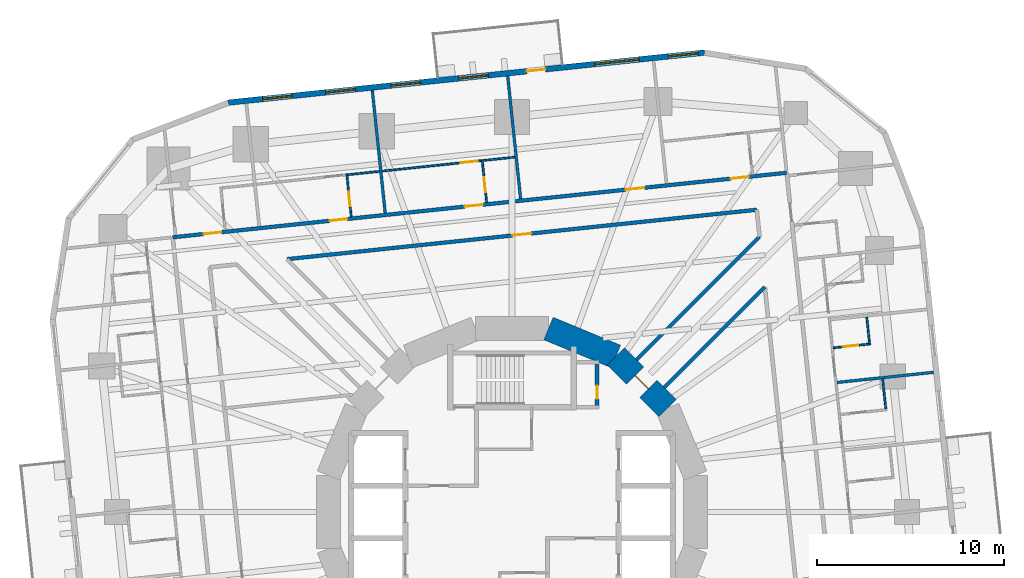
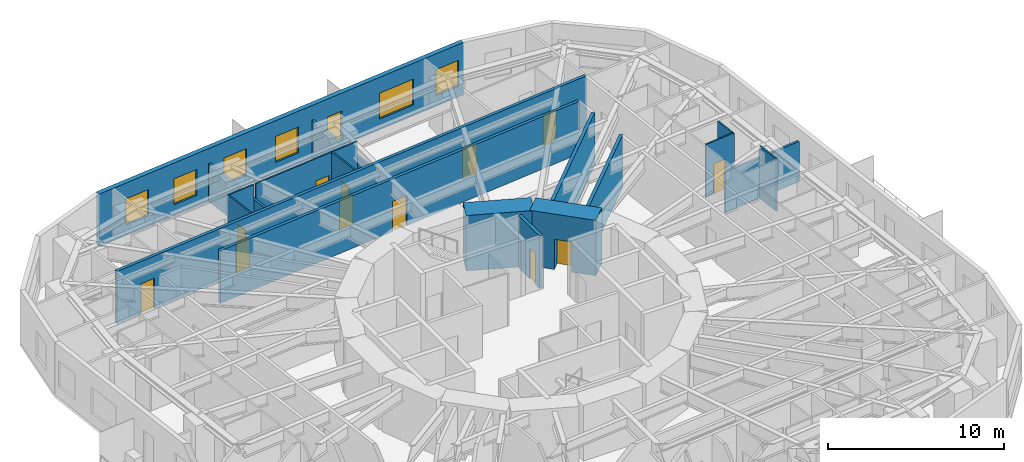
# One storey, part 10 of 13: 19 walls, 13 doors, 6 windows, 19 openings.
"""IFC4 building model written with IfcOpenShell, lengths in metres."""

from ifc_helpers import new_model, si_unit, direction, frame, frame_2d, origin, place, context, subcontext, project, spatial, rectangle, extrude, material, layer, layer_set, type_object, element, fill, save


model = new_model("IFC4")

# Units and contexts
model_context = context("Model", 3, precision=1e-05, world=origin(), true_north=direction((0.0, 1.0)))
body_context = subcontext(model_context, "Body", "Model", "MODEL_VIEW")
ifc_project = project(units=[si_unit("LENGTHUNIT", "METRE"), si_unit("AREAUNIT", "SQUARE_METRE"), si_unit("VOLUMEUNIT", "CUBIC_METRE"), si_unit("PLANEANGLEUNIT", "RADIAN"), si_unit("MASSUNIT", "GRAM", prefix="KILO")], contexts=[model_context])

# Site, building, storey
site_placement = place(None, origin())
site = spatial("IfcSite", under=ifc_project, at=site_placement, CompositionType="ELEMENT")
building_placement = place(site_placement, origin())
building = spatial("IfcBuilding", under=site, at=building_placement, Name="Nakasero Lantern House", CompositionType="ELEMENT")
storey_placement = place(building_placement, frame((0.0, 0.0, 91.300048828125)))
storey = spatial("IfcBuildingStorey", under=building, at=storey_placement, Name="L22", CompositionType="ELEMENT", Elevation=91.300048828125)

# Wall, opening, door
ifc_material_1 = material(Name="Concrete C50/60", Category="concrete")
ifc_layer_1 = layer(ifc_material_1, 1.300048828125)
ifc_layer_set_1 = layer_set([ifc_layer_1], Name="Core wall 1300")
wall_type_1 = type_object("IfcWallType", Name="Core wall 1300", PredefinedType="SHEAR", material=ifc_layer_set_1)
wall_1_placement = place(storey_placement, frame((8.314697265625, 5.5556640625, 0.0), z_axis=(0.0, 0.0, 1.0), x_axis=(-0.707106781187, 0.707106781187, 0.0)))
wall_1 = element("IfcWall", 1, at=wall_1_placement, inside=storey, type_object=wall_type_1, Name="Core wall L22 facet 2", PredefinedType="SHEAR", context=body_context, shape_type="SweptSolid", body=[
    extrude(rectangle(XDim=3.90185546875, YDim=1.300048828125, at=frame_2d((1.950927734375, 0.0))), origin(), (0.0, 0.0, 1.0), 3.849853515625),
])
opening_1_placement = place(wall_1_placement, frame((1.450927734375, 0.0, 0.0)))
opening_1 = element("IfcOpeningElement", 2, at=opening_1_placement, cuts=wall_1, Name="Opening D05", PredefinedType="OPENING", context=body_context, shape_type="SweptSolid", body=[
    extrude(rectangle(XDim=1.0, YDim=2.10009765625, at=frame_2d((0.5, 1.050048828125))), frame((0.0, 0.669921875, 0.0), z_axis=(0.0, -1.0, 0.0), x_axis=(1.0, 0.0, 0.0)), (0.0, 0.0, 1.0), 1.340087890625),
])
ifc_material_2 = material(Name="Timber C24", Category="wood")
door_type_1 = type_object("IfcDoorType", Name="Core door FD60S 1000", OperationType="SINGLE_SWING_LEFT", PredefinedType="DOOR", material=ifc_material_2)
door_1_placement = place(opening_1_placement, origin())
door_1 = element("IfcDoor", 3, at=door_1_placement, inside=storey, type_object=door_type_1, Name="Door L22 D-CORE02", OperationType="SINGLE_SWING_LEFT", OverallHeight=2.10009765625, OverallWidth=1.0, PredefinedType="DOOR", context=body_context, shape_type="SweptSolid", body=[
    extrude(rectangle(XDim=1.0, YDim=2.10009765625, at=frame_2d((0.5, 1.050048828125))), frame((0.0, 0.02490234375, 0.0), z_axis=(0.0, -1.0, 0.0), x_axis=(1.0, 0.0, 0.0)), (0.0, 0.0, 1.0), 0.050048828125),
])
fill(opening_1, door_1)

# Wall
wall_2_placement = place(storey_placement, frame((5.5556640625, 8.314697265625, 0.0), z_axis=(0.0, 0.0, 1.0), x_axis=(-0.923876507187, 0.382690736062, 0.0)))
element("IfcWall", 4, at=wall_2_placement, inside=storey, type_object=wall_type_1, Name="Core wall L22 facet 3", PredefinedType="SHEAR", context=body_context, shape_type="SweptSolid", body=[
    extrude(rectangle(XDim=3.90185546875, YDim=1.300048828125, at=frame_2d((1.950927734375, 0.0))), origin(), (0.0, 0.0, 1.0), 3.849853515625),
])

# Wall, openings, doors
ifc_material_3 = material(Name="Blockwork", Category="masonry")
ifc_layer_2 = layer(ifc_material_3, 0.199951171875)
ifc_layer_set_2 = layer_set([ifc_layer_2], Name="Corridor wall 200")
wall_type_2 = type_object("IfcWallType", Name="Corridor wall 200", PredefinedType="PARTITIONING", material=ifc_layer_set_2)
wall_3_placement = place(storey_placement, frame((14.684814453125, 18.13427734375, 0.0), z_axis=(0.0, 0.0, 1.0), x_axis=(-0.994521777723, -0.10452958258, 0.0)))
wall_3 = element("IfcWall", 5, at=wall_3_placement, inside=storey, type_object=wall_type_2, Name="Corridor wall L22 CW1", PredefinedType="PARTITIONING", context=body_context, shape_type="SweptSolid", body=[
    extrude(rectangle(XDim=32.999755859375, YDim=0.199951171875, at=frame_2d((16.5, 0.0))), origin(), (0.0, 0.0, 1.0), 3.64990234375),
])
opening_2_placement = place(wall_3_placement, frame((2.050048828125, 0.0, 0.0)))
opening_2 = element("IfcOpeningElement", 6, at=opening_2_placement, cuts=wall_3, Name="Opening D01", PredefinedType="OPENING", context=body_context, shape_type="SweptSolid", body=[
    extrude(rectangle(XDim=0.949951171875, YDim=2.10009765625, at=frame_2d((0.47509765625, 1.050048828125))), frame((0.0, 0.119873046875, 0.0), z_axis=(0.0, -1.0, 0.0), x_axis=(1.0, 0.0, 0.0)), (0.0, 0.0, 1.0), 0.239990234375),
])
opening_3_placement = place(wall_3_placement, frame((16.3427734375, 0.0, 0.0)))
opening_3 = element("IfcOpeningElement", 7, at=opening_3_placement, cuts=wall_3, Name="Opening D01", PredefinedType="OPENING", context=body_context, shape_type="SweptSolid", body=[
    extrude(rectangle(XDim=0.949951171875, YDim=2.10009765625, at=frame_2d((0.47509765625, 1.050048828125))), frame((0.0, 0.119873046875, 0.0), z_axis=(0.0, -1.0, 0.0), x_axis=(1.0, 0.0, 0.0)), (0.0, 0.0, 1.0), 0.239990234375),
])
opening_4_placement = place(wall_3_placement, frame((23.6201171875, 0.0, 0.0)))
opening_4 = element("IfcOpeningElement", 8, at=opening_4_placement, cuts=wall_3, Name="Opening D01", PredefinedType="OPENING", context=body_context, shape_type="SweptSolid", body=[
    extrude(rectangle(XDim=0.949951171875, YDim=2.10009765625, at=frame_2d((0.47509765625, 1.050048828125))), frame((0.0, 0.119873046875, 0.0), z_axis=(0.0, -1.0, 0.0), x_axis=(1.0, 0.0, 0.0)), (0.0, 0.0, 1.0), 0.239990234375),
])
opening_5_placement = place(wall_3_placement, frame((30.39111328125, 0.0, 0.0)))
opening_5 = element("IfcOpeningElement", 9, at=opening_5_placement, cuts=wall_3, Name="Opening D01", PredefinedType="OPENING", context=body_context, shape_type="SweptSolid", body=[
    extrude(rectangle(XDim=0.949951171875, YDim=2.10009765625, at=frame_2d((0.47509765625, 1.050048828125))), frame((0.0, 0.119873046875, 0.0), z_axis=(0.0, -1.0, 0.0), x_axis=(1.0, 0.0, 0.0)), (0.0, 0.0, 1.0), 0.239990234375),
])
opening_6_placement = place(wall_3_placement, frame((7.650634765625, 0.0, 0.0)))
opening_6 = element("IfcOpeningElement", 10, at=opening_6_placement, cuts=wall_3, Name="Opening D03", PredefinedType="OPENING", context=body_context, shape_type="SweptSolid", body=[
    extrude(rectangle(XDim=1.0, YDim=2.10009765625, at=frame_2d((0.5, 1.050048828125))), frame((0.0, 0.119873046875, 0.0), z_axis=(0.0, -1.0, 0.0), x_axis=(1.0, 0.0, 0.0)), (0.0, 0.0, 1.0), 0.239990234375),
])
ifc_material_4 = material(Name="Timber C24", Category="wood")
door_type_2 = type_object("IfcDoorType", Name="Bedroom door FD30S 950", OperationType="SINGLE_SWING_LEFT", PredefinedType="DOOR", material=ifc_material_4)
door_2_placement = place(opening_2_placement, origin())
door_2 = element("IfcDoor", 11, at=door_2_placement, inside=storey, type_object=door_type_2, Name="Door L22 D1-00", OperationType="SINGLE_SWING_LEFT", OverallHeight=2.10009765625, OverallWidth=0.949951171875, PredefinedType="DOOR", context=body_context, shape_type="SweptSolid", body=[
    extrude(rectangle(XDim=0.949951171875, YDim=2.10009765625, at=frame_2d((0.47509765625, 1.050048828125))), frame((0.0, 0.02490234375, 0.0), z_axis=(0.0, -1.0, 0.0), x_axis=(1.0, 0.0, 0.0)), (0.0, 0.0, 1.0), 0.050048828125),
])
fill(opening_2, door_2)
door_3_placement = place(opening_3_placement, origin())
door_3 = element("IfcDoor", 12, at=door_3_placement, inside=storey, type_object=door_type_2, Name="Door L22 D1-04", OperationType="SINGLE_SWING_RIGHT", OverallHeight=2.10009765625, OverallWidth=0.949951171875, PredefinedType="DOOR", context=body_context, shape_type="SweptSolid", body=[
    extrude(rectangle(XDim=0.949951171875, YDim=2.10009765625, at=frame_2d((0.47509765625, 1.050048828125))), frame((0.0, 0.02490234375, 0.0), z_axis=(0.0, -1.0, 0.0), x_axis=(1.0, 0.0, 0.0)), (0.0, 0.0, 1.0), 0.050048828125),
])
fill(opening_3, door_3)
door_4_placement = place(opening_4_placement, origin())
door_4 = element("IfcDoor", 13, at=door_4_placement, inside=storey, type_object=door_type_2, Name="Door L22 D1-06", OperationType="SINGLE_SWING_RIGHT", OverallHeight=2.10009765625, OverallWidth=0.949951171875, PredefinedType="DOOR", context=body_context, shape_type="SweptSolid", body=[
    extrude(rectangle(XDim=0.949951171875, YDim=2.10009765625, at=frame_2d((0.47509765625, 1.050048828125))), frame((0.0, 0.02490234375, 0.0), z_axis=(0.0, -1.0, 0.0), x_axis=(1.0, 0.0, 0.0)), (0.0, 0.0, 1.0), 0.050048828125),
])
fill(opening_4, door_4)
door_5_placement = place(opening_5_placement, origin())
door_5 = element("IfcDoor", 14, at=door_5_placement, inside=storey, type_object=door_type_2, Name="Door L22 D1-08", OperationType="SINGLE_SWING_RIGHT", OverallHeight=2.10009765625, OverallWidth=0.949951171875, PredefinedType="DOOR", context=body_context, shape_type="SweptSolid", body=[
    extrude(rectangle(XDim=0.949951171875, YDim=2.10009765625, at=frame_2d((0.47509765625, 1.050048828125))), frame((0.0, 0.02490234375, 0.0), z_axis=(0.0, -1.0, 0.0), x_axis=(1.0, 0.0, 0.0)), (0.0, 0.0, 1.0), 0.050048828125),
])
fill(opening_5, door_5)
ifc_material_5 = material(Name="Timber C24", Category="wood")
door_type_3 = type_object("IfcDoorType", Name="Lounge door FD30S 1000", OperationType="SINGLE_SWING_LEFT", PredefinedType="DOOR", material=ifc_material_5)
door_6_placement = place(opening_6_placement, origin())
door_6 = element("IfcDoor", 15, at=door_6_placement, inside=storey, type_object=door_type_3, Name="Door L22 DK1", OperationType="SINGLE_SWING_LEFT", OverallHeight=2.10009765625, OverallWidth=1.0, PredefinedType="DOOR", context=body_context, shape_type="SweptSolid", body=[
    extrude(rectangle(XDim=1.0, YDim=2.10009765625, at=frame_2d((0.5, 1.050048828125))), frame((0.0, 0.02490234375, 0.0), z_axis=(0.0, -1.0, 0.0), x_axis=(1.0, 0.0, 0.0)), (0.0, 0.0, 1.0), 0.050048828125),
])
fill(opening_6, door_6)

# Wall, opening, door
wall_4_placement = place(storey_placement, frame((13.0830078125, 16.156005859375, 0.0), z_axis=(0.0, 0.0, 1.0), x_axis=(-0.994521862783, -0.104528773298, 0.0)))
wall_4 = element("IfcWall", 16, at=wall_4_placement, inside=storey, type_object=wall_type_2, Name="Corridor wall L22 IW1-0", PredefinedType="PARTITIONING", context=body_context, shape_type="SweptSolid", body=[
    extrude(rectangle(XDim=25.2529296875, YDim=0.199951171875, at=frame_2d((12.62646484375, 0.0))), origin(), (0.0, 0.0, 1.0), 3.64990234375),
])
opening_7_placement = place(wall_4_placement, frame((12.12646484375, 0.0, 0.0)))
opening_7 = element("IfcOpeningElement", 17, at=opening_7_placement, cuts=wall_4, Name="Opening D07", PredefinedType="OPENING", context=body_context, shape_type="SweptSolid", body=[
    extrude(rectangle(XDim=1.0, YDim=2.10009765625, at=frame_2d((0.5, 1.050048828125))), frame((0.0, 0.119873046875, 0.0), z_axis=(0.0, -1.0, 0.0), x_axis=(1.0, 0.0, 0.0)), (0.0, 0.0, 1.0), 0.239990234375),
])
ifc_material_6 = material(Name="Timber C24", Category="wood")
door_type_4 = type_object("IfcDoorType", Name="Room door FD30S 1000", OperationType="SINGLE_SWING_LEFT", PredefinedType="DOOR", material=ifc_material_6)
door_7_placement = place(opening_7_placement, origin())
door_7 = element("IfcDoor", 18, at=door_7_placement, inside=storey, type_object=door_type_4, Name="Door L22 DI3", OperationType="SINGLE_SWING_RIGHT", OverallHeight=2.10009765625, OverallWidth=1.0, PredefinedType="DOOR", context=body_context, shape_type="SweptSolid", body=[
    extrude(rectangle(XDim=1.0, YDim=2.10009765625, at=frame_2d((0.5, 1.050048828125))), frame((0.0, 0.02490234375, 0.0), z_axis=(0.0, -1.0, 0.0), x_axis=(1.0, 0.0, 0.0)), (0.0, 0.0, 1.0), 0.050048828125),
])
fill(opening_7, door_7)

# Walls
wall_5_placement = place(storey_placement, frame((6.65234375, 8.13720703125, 0.0), z_axis=(0.0, 0.0, 1.0), x_axis=(0.707093666337, 0.707119895793, 0.0)))
element("IfcWall", 19, at=wall_5_placement, inside=storey, type_object=wall_type_2, Name="Corridor wall L22 PS02a", PredefinedType="PARTITIONING", context=body_context, shape_type="SweptSolid", body=[
    extrude(rectangle(XDim=9.307861328125, YDim=0.199951171875, at=frame_2d((4.65380859375, 0.0))), origin(), (0.0, 0.0, 1.0), 3.64990234375),
])
wall_6_placement = place(storey_placement, frame((8.13720703125, 6.65234375, 0.0), z_axis=(0.0, 0.0, 1.0), x_axis=(0.707106781187, 0.707106781187, 0.0)))
element("IfcWall", 20, at=wall_6_placement, inside=storey, type_object=wall_type_2, Name="Corridor wall L22 PS02b", PredefinedType="PARTITIONING", context=body_context, shape_type="SweptSolid", body=[
    extrude(rectangle(XDim=7.607177734375, YDim=0.199951171875, at=frame_2d((3.8037109375, 0.0))), origin(), (0.0, 0.0, 1.0), 3.64990234375),
])
ifc_material_7 = material(Name="Blockwork", Category="masonry")
ifc_layer_3 = layer(ifc_material_7, 0.10009765625)
ifc_layer_set_3 = layer_set([ifc_layer_3], Name="En-suite wall 100")
wall_type_3 = type_object("IfcWallType", Name="En-suite wall 100", PredefinedType="PARTITIONING", material=ifc_layer_set_3)
wall_7_placement = place(storey_placement, frame((19.983154296875, 5.513916015625, 0.0), z_axis=(0.0, 0.0, 1.0), x_axis=(-0.104517989015, 0.994522996201, 0.0)))
element("IfcWall", 21, at=wall_7_placement, inside=storey, type_object=wall_type_3, Name="En-suite wall L22 EE0-05", PredefinedType="PARTITIONING", context=body_context, shape_type="SweptSolid", body=[
    extrude(rectangle(XDim=1.60009765625, YDim=0.10009765625, at=frame_2d((0.800048828125, 0.0))), origin(), (0.0, 0.0, 1.0), 3.64990234375),
])

# Wall, opening, door
wall_8_placement = place(storey_placement, frame((17.177001953125, 8.774169921875, 0.0), z_axis=(0.0, 0.0, 1.0), x_axis=(0.99452550138, 0.104494148666, 0.0)))
wall_8 = element("IfcWall", 22, at=wall_8_placement, inside=storey, type_object=wall_type_3, Name="En-suite wall L22 ES0-06", PredefinedType="PARTITIONING", context=body_context, shape_type="SweptSolid", body=[
    extrude(rectangle(XDim=2.0, YDim=0.10009765625, at=frame_2d((1.0, 0.0))), origin(), (0.0, 0.0, 1.0), 3.64990234375),
])
opening_8_placement = place(wall_8_placement, frame((0.550048828125, 0.0, 0.0)))
opening_8 = element("IfcOpeningElement", 23, at=opening_8_placement, cuts=wall_8, Name="Opening D02", PredefinedType="OPENING", context=body_context, shape_type="SweptSolid", body=[
    extrude(rectangle(XDim=0.800048828125, YDim=2.10009765625, at=frame_2d((0.39990234375, 1.050048828125))), frame((0.0, 0.070068359375, 0.0), z_axis=(0.0, -1.0, 0.0), x_axis=(1.0, 0.0, 0.0)), (0.0, 0.0, 1.0), 0.14013671875),
])
ifc_material_8 = material(Name="Timber C24", Category="wood")
door_type_5 = type_object("IfcDoorType", Name="En-suite door 800", OperationType="SINGLE_SWING_RIGHT", PredefinedType="DOOR", material=ifc_material_8)
door_8_placement = place(opening_8_placement, origin())
door_8 = element("IfcDoor", 24, at=door_8_placement, inside=storey, type_object=door_type_5, Name="Door L22 DE0-06", OperationType="SINGLE_SWING_LEFT", OverallHeight=2.10009765625, OverallWidth=0.800048828125, PredefinedType="DOOR", context=body_context, shape_type="SweptSolid", body=[
    extrude(rectangle(XDim=0.800048828125, YDim=2.10009765625, at=frame_2d((0.39990234375, 1.050048828125))), frame((0.0, 0.02490234375, 0.0), z_axis=(0.0, -1.0, 0.0), x_axis=(1.0, 0.0, 0.0)), (0.0, 0.0, 1.0), 0.050048828125),
])
fill(opening_8, door_8)

# Wall
wall_9_placement = place(storey_placement, frame((19.111083984375, 9.027587890625, 0.0), z_axis=(0.0, 0.0, 1.0), x_axis=(-0.104630319263, 0.994511184598, 0.0)))
element("IfcWall", 25, at=wall_9_placement, inside=storey, type_object=wall_type_3, Name="En-suite wall L22 EE0-06", PredefinedType="PARTITIONING", context=body_context, shape_type="SweptSolid", body=[
    extrude(rectangle(XDim=1.39990234375, YDim=0.10009765625, at=frame_2d((0.699951171875, 0.0))), origin(), (0.0, 0.0, 1.0), 3.64990234375),
])

# Wall, opening, door
wall_10_placement = place(storey_placement, frame((-1.35498046875, 16.549072265625, 0.0), z_axis=(0.0, 0.0, 1.0), x_axis=(-0.104557694553, 0.994518822602, 0.0)))
wall_10 = element("IfcWall", 26, at=wall_10_placement, inside=storey, type_object=wall_type_3, Name="En-suite wall L22 ES1-04", PredefinedType="PARTITIONING", context=body_context, shape_type="SweptSolid", body=[
    extrude(rectangle(XDim=2.300048828125, YDim=0.10009765625, at=frame_2d((1.14990234375, 0.0))), origin(), (0.0, 0.0, 1.0), 3.64990234375),
])
opening_9_placement = place(wall_10_placement, frame((0.550048828125, 0.0, 0.0)))
opening_9 = element("IfcOpeningElement", 27, at=opening_9_placement, cuts=wall_10, Name="Opening D02", PredefinedType="OPENING", context=body_context, shape_type="SweptSolid", body=[
    extrude(rectangle(XDim=0.800048828125, YDim=2.10009765625, at=frame_2d((0.39990234375, 1.050048828125))), frame((0.0, 0.070068359375, 0.0), z_axis=(0.0, -1.0, 0.0), x_axis=(1.0, 0.0, 0.0)), (0.0, 0.0, 1.0), 0.14013671875),
])
door_9_placement = place(opening_9_placement, origin())
door_9 = element("IfcDoor", 28, at=door_9_placement, inside=storey, type_object=door_type_5, Name="Door L22 DE1-04", OperationType="SINGLE_SWING_LEFT", OverallHeight=2.10009765625, OverallWidth=0.800048828125, PredefinedType="DOOR", context=body_context, shape_type="SweptSolid", body=[
    extrude(rectangle(XDim=0.800048828125, YDim=2.10009765625, at=frame_2d((0.39990234375, 1.050048828125))), frame((0.0, 0.02490234375, 0.0), z_axis=(0.0, -1.0, 0.0), x_axis=(1.0, 0.0, 0.0)), (0.0, 0.0, 1.0), 0.050048828125),
])
fill(opening_9, door_9)

# Wall
wall_11_placement = place(storey_placement, frame((0.150146484375, 18.9697265625, 0.0), z_axis=(0.0, 0.0, 1.0), x_axis=(-0.994519608382, -0.104550220202, 0.0)))
element("IfcWall", 29, at=wall_11_placement, inside=storey, type_object=wall_type_3, Name="En-suite wall L22 EE1-04", PredefinedType="PARTITIONING", context=body_context, shape_type="SweptSolid", body=[
    extrude(rectangle(XDim=1.699951171875, YDim=0.10009765625, at=frame_2d((0.85009765625, 0.0))), origin(), (0.0, 0.0, 1.0), 3.64990234375),
])

# Wall, opening, door
wall_12_placement = place(storey_placement, frame((-8.592529296875, 15.788330078125, 0.0), z_axis=(0.0, 0.0, 1.0), x_axis=(-0.104452703326, 0.994529855142, 0.0)))
wall_12 = element("IfcWall", 30, at=wall_12_placement, inside=storey, type_object=wall_type_3, Name="En-suite wall L22 ES1-06", PredefinedType="PARTITIONING", context=body_context, shape_type="SweptSolid", body=[
    extrude(rectangle(XDim=2.300048828125, YDim=0.10009765625, at=frame_2d((1.14990234375, 0.0))), origin(), (0.0, 0.0, 1.0), 3.64990234375),
])
opening_10_placement = place(wall_12_placement, frame((0.550048828125, 0.0, 0.0)))
opening_10 = element("IfcOpeningElement", 31, at=opening_10_placement, cuts=wall_12, Name="Opening D02", PredefinedType="OPENING", context=body_context, shape_type="SweptSolid", body=[
    extrude(rectangle(XDim=0.800048828125, YDim=2.10009765625, at=frame_2d((0.39990234375, 1.050048828125))), frame((0.0, 0.070068359375, 0.0), z_axis=(0.0, -1.0, 0.0), x_axis=(1.0, 0.0, 0.0)), (0.0, 0.0, 1.0), 0.14013671875),
])
door_10_placement = place(opening_10_placement, origin())
door_10 = element("IfcDoor", 32, at=door_10_placement, inside=storey, type_object=door_type_5, Name="Door L22 DE1-06", OperationType="SINGLE_SWING_LEFT", OverallHeight=2.10009765625, OverallWidth=0.800048828125, PredefinedType="DOOR", context=body_context, shape_type="SweptSolid", body=[
    extrude(rectangle(XDim=0.800048828125, YDim=2.10009765625, at=frame_2d((0.39990234375, 1.050048828125))), frame((0.0, 0.02490234375, 0.0), z_axis=(0.0, -1.0, 0.0), x_axis=(1.0, 0.0, 0.0)), (0.0, 0.0, 1.0), 0.050048828125),
])
fill(opening_10, door_10)

# Wall
wall_13_placement = place(storey_placement, frame((-7.087158203125, 18.208984375, 0.0), z_axis=(0.0, 0.0, 1.0), x_axis=(-0.994519608382, -0.104550220202, 0.0)))
element("IfcWall", 33, at=wall_13_placement, inside=storey, type_object=wall_type_3, Name="En-suite wall L22 EE1-06", PredefinedType="PARTITIONING", context=body_context, shape_type="SweptSolid", body=[
    extrude(rectangle(XDim=1.699951171875, YDim=0.10009765625, at=frame_2d((0.85009765625, 0.0))), origin(), (0.0, 0.0, 1.0), 3.64990234375),
])

# Wall, opening, door
wall_14_placement = place(storey_placement, frame((-1.639892578125, 18.781494140625, 0.0), z_axis=(0.0, 0.0, 1.0), x_axis=(-0.994521261767, -0.10453449141, 0.0)))
wall_14 = element("IfcWall", 34, at=wall_14_placement, inside=storey, type_object=wall_type_3, Name="En-suite wall L22 EL1-04", PredefinedType="PARTITIONING", context=body_context, shape_type="SweptSolid", body=[
    extrude(rectangle(XDim=5.327392578125, YDim=0.10009765625, at=frame_2d((2.66357421875, 0.0))), origin(), (0.0, 0.0, 1.0), 3.64990234375),
])
opening_11_placement = place(wall_14_placement, frame((0.199951171875, 0.0, 0.0)))
opening_11 = element("IfcOpeningElement", 35, at=opening_11_placement, cuts=wall_14, Name="Opening D17", PredefinedType="OPENING", context=body_context, shape_type="SweptSolid", body=[
    extrude(rectangle(XDim=0.89990234375, YDim=2.10009765625, at=frame_2d((0.449951171875, 1.050048828125))), frame((0.0, 0.070068359375, 0.0), z_axis=(0.0, -1.0, 0.0), x_axis=(1.0, 0.0, 0.0)), (0.0, 0.0, 1.0), 0.14013671875),
])
ifc_material_9 = material(Name="Timber C24", Category="wood")
door_type_6 = type_object("IfcDoorType", Name="Bedroom door FD30S 900", OperationType="SINGLE_SWING_LEFT", PredefinedType="DOOR", material=ifc_material_9)
door_11_placement = place(opening_11_placement, origin())
door_11 = element("IfcDoor", 36, at=door_11_placement, inside=storey, type_object=door_type_6, Name="Door L22 DL1-04", OperationType="SINGLE_SWING_LEFT", OverallHeight=2.10009765625, OverallWidth=0.89990234375, PredefinedType="DOOR", context=body_context, shape_type="SweptSolid", body=[
    extrude(rectangle(XDim=0.89990234375, YDim=2.10009765625, at=frame_2d((0.449951171875, 1.050048828125))), frame((0.0, 0.02490234375, 0.0), z_axis=(0.0, -1.0, 0.0), x_axis=(1.0, 0.0, 0.0)), (0.0, 0.0, 1.0), 0.050048828125),
])
fill(opening_11, door_11)

# Wall, openings, door, windows
ifc_material_10 = material(Name="Aluminium rainscreen on blockwork", Category="masonry")
ifc_layer_4 = layer(ifc_material_10, 0.300048828125)
ifc_layer_set_4 = layer_set([ifc_layer_4], Name="Facade wall 300")
wall_type_4 = type_object("IfcWallType", Name="Facade wall 300", PredefinedType="SOLIDWALL", material=ifc_layer_set_4)
wall_15_placement = place(storey_placement, frame((10.2890625, 24.56005859375, 0.0), z_axis=(0.0, 0.0, 1.0), x_axis=(-0.994521483895, -0.104532378096, 0.0)))
wall_15 = element("IfcWall", 37, at=wall_15_placement, inside=storey, type_object=wall_type_4, Name="Facade wall L22 FW1S", PredefinedType="SOLIDWALL", context=body_context, shape_type="SweptSolid", body=[
    extrude(rectangle(XDim=25.599853515625, YDim=0.300048828125, at=frame_2d((12.7998046875, 0.0))), origin(), (0.0, 0.0, 1.0), 3.64990234375),
])
opening_12_placement = place(wall_15_placement, frame((0.337890625, 0.0, 0.75)))
opening_12 = element("IfcOpeningElement", 38, at=opening_12_placement, cuts=wall_15, Name="Opening W01", PredefinedType="OPENING", context=body_context, shape_type="SweptSolid", body=[
    extrude(rectangle(XDim=1.60009765625, YDim=1.800048828125, at=frame_2d((0.800048828125, 0.89990234375))), frame((0.0, 0.169921875, 0.0), z_axis=(0.0, -1.0, 0.0), x_axis=(1.0, 0.0, 0.0)), (0.0, 0.0, 1.0), 0.340087890625),
])
opening_13_placement = place(wall_15_placement, frame((11.612060546875, 0.0, 0.75)))
opening_13 = element("IfcOpeningElement", 39, at=opening_13_placement, cuts=wall_15, Name="Opening W01", PredefinedType="OPENING", context=body_context, shape_type="SweptSolid", body=[
    extrude(rectangle(XDim=1.60009765625, YDim=1.800048828125, at=frame_2d((0.800048828125, 0.89990234375))), frame((0.0, 0.169921875, 0.0), z_axis=(0.0, -1.0, 0.0), x_axis=(1.0, 0.0, 0.0)), (0.0, 0.0, 1.0), 0.340087890625),
])
opening_14_placement = place(wall_15_placement, frame((15.250732421875, 0.0, 0.75)))
opening_14 = element("IfcOpeningElement", 40, at=opening_14_placement, cuts=wall_15, Name="Opening W01", PredefinedType="OPENING", context=body_context, shape_type="SweptSolid", body=[
    extrude(rectangle(XDim=1.60009765625, YDim=1.800048828125, at=frame_2d((0.800048828125, 0.89990234375))), frame((0.0, 0.169921875, 0.0), z_axis=(0.0, -1.0, 0.0), x_axis=(1.0, 0.0, 0.0)), (0.0, 0.0, 1.0), 0.340087890625),
])
opening_15_placement = place(wall_15_placement, frame((18.7626953125, 0.0, 0.75)))
opening_15 = element("IfcOpeningElement", 41, at=opening_15_placement, cuts=wall_15, Name="Opening W01", PredefinedType="OPENING", context=body_context, shape_type="SweptSolid", body=[
    extrude(rectangle(XDim=1.60009765625, YDim=1.800048828125, at=frame_2d((0.800048828125, 0.89990234375))), frame((0.0, 0.169921875, 0.0), z_axis=(0.0, -1.0, 0.0), x_axis=(1.0, 0.0, 0.0)), (0.0, 0.0, 1.0), 0.340087890625),
])
opening_16_placement = place(wall_15_placement, frame((22.1484375, 0.0, 0.75)))
opening_16 = element("IfcOpeningElement", 42, at=opening_16_placement, cuts=wall_15, Name="Opening W01", PredefinedType="OPENING", context=body_context, shape_type="SweptSolid", body=[
    extrude(rectangle(XDim=1.60009765625, YDim=1.800048828125, at=frame_2d((0.800048828125, 0.89990234375))), frame((0.0, 0.169921875, 0.0), z_axis=(0.0, -1.0, 0.0), x_axis=(1.0, 0.0, 0.0)), (0.0, 0.0, 1.0), 0.340087890625),
])
opening_17_placement = place(wall_15_placement, frame((3.51123046875, 0.0, 0.75)))
opening_17 = element("IfcOpeningElement", 43, at=opening_17_placement, cuts=wall_15, Name="Opening W03", PredefinedType="OPENING", context=body_context, shape_type="SweptSolid", body=[
    extrude(rectangle(XDim=2.39990234375, YDim=1.800048828125, at=frame_2d((1.199951171875, 0.89990234375))), frame((0.0, 0.169921875, 0.0), z_axis=(0.0, -1.0, 0.0), x_axis=(1.0, 0.0, 0.0)), (0.0, 0.0, 1.0), 0.340087890625),
])
opening_18_placement = place(wall_15_placement, frame((8.558837890625, 0.0, 0.0)))
opening_18 = element("IfcOpeningElement", 44, at=opening_18_placement, cuts=wall_15, Name="Opening D04", PredefinedType="OPENING", context=body_context, shape_type="SweptSolid", body=[
    extrude(rectangle(XDim=1.0, YDim=2.39990234375, at=frame_2d((0.5, 1.199951171875))), frame((0.0, 0.169921875, 0.0), z_axis=(0.0, -1.0, 0.0), x_axis=(1.0, 0.0, 0.0)), (0.0, 0.0, 1.0), 0.340087890625),
])
ifc_material_11 = material(Name="Aluminium 6063-T6 and glass", Category="aluminium")
door_type_7 = type_object("IfcDoorType", Name="Balcony door 1000x2400", OperationType="SINGLE_SWING_RIGHT", PredefinedType="DOOR", material=ifc_material_11)
door_12_placement = place(opening_18_placement, origin())
door_12 = element("IfcDoor", 45, at=door_12_placement, inside=storey, type_object=door_type_7, Name="Balcony door L22 DB1", OperationType="SINGLE_SWING_RIGHT", OverallHeight=2.39990234375, OverallWidth=1.0, PredefinedType="DOOR", context=body_context, shape_type="SweptSolid", body=[
    extrude(rectangle(XDim=1.0, YDim=2.39990234375, at=frame_2d((0.5, 1.199951171875))), frame((0.0, 0.02490234375, 0.0), z_axis=(0.0, -1.0, 0.0), x_axis=(1.0, 0.0, 0.0)), (0.0, 0.0, 1.0), 0.050048828125),
])
fill(opening_18, door_12)
ifc_material_12 = material(Name="Aluminium 6063-T6 and glass", Category="aluminium")
window_type_1 = type_object("IfcWindowType", Name="Bedroom window 1600x1800", PartitioningType="SINGLE_PANEL", PredefinedType="WINDOW", material=ifc_material_12)
window_1_placement = place(opening_12_placement, origin())
window_1 = element("IfcWindow", 46, at=window_1_placement, inside=storey, type_object=window_type_1, Name="Window L22 WN1-01", OverallHeight=1.800048828125, OverallWidth=1.60009765625, PartitioningType="SINGLE_PANEL", PredefinedType="WINDOW", context=body_context, shape_type="SweptSolid", body=[
    extrude(rectangle(XDim=1.60009765625, YDim=1.800048828125, at=frame_2d((0.800048828125, 0.89990234375))), frame((0.0, 0.030029296875, 0.0), z_axis=(0.0, -1.0, 0.0), x_axis=(1.0, 0.0, 0.0)), (0.0, 0.0, 1.0), 0.06005859375),
])
fill(opening_12, window_1)
window_2_placement = place(opening_13_placement, origin())
window_2 = element("IfcWindow", 47, at=window_2_placement, inside=storey, type_object=window_type_1, Name="Window L22 WN1-04", OverallHeight=1.800048828125, OverallWidth=1.60009765625, PartitioningType="SINGLE_PANEL", PredefinedType="WINDOW", context=body_context, shape_type="SweptSolid", body=[
    extrude(rectangle(XDim=1.60009765625, YDim=1.800048828125, at=frame_2d((0.800048828125, 0.89990234375))), frame((0.0, 0.030029296875, 0.0), z_axis=(0.0, -1.0, 0.0), x_axis=(1.0, 0.0, 0.0)), (0.0, 0.0, 1.0), 0.06005859375),
])
fill(opening_13, window_2)
window_3_placement = place(opening_14_placement, origin())
window_3 = element("IfcWindow", 48, at=window_3_placement, inside=storey, type_object=window_type_1, Name="Window L22 WN1-05", OverallHeight=1.800048828125, OverallWidth=1.60009765625, PartitioningType="SINGLE_PANEL", PredefinedType="WINDOW", context=body_context, shape_type="SweptSolid", body=[
    extrude(rectangle(XDim=1.60009765625, YDim=1.800048828125, at=frame_2d((0.800048828125, 0.89990234375))), frame((0.0, 0.030029296875, 0.0), z_axis=(0.0, -1.0, 0.0), x_axis=(1.0, 0.0, 0.0)), (0.0, 0.0, 1.0), 0.06005859375),
])
fill(opening_14, window_3)
window_4_placement = place(opening_15_placement, origin())
window_4 = element("IfcWindow", 49, at=window_4_placement, inside=storey, type_object=window_type_1, Name="Window L22 WN1-06", OverallHeight=1.800048828125, OverallWidth=1.60009765625, PartitioningType="SINGLE_PANEL", PredefinedType="WINDOW", context=body_context, shape_type="SweptSolid", body=[
    extrude(rectangle(XDim=1.60009765625, YDim=1.800048828125, at=frame_2d((0.800048828125, 0.89990234375))), frame((0.0, 0.030029296875, 0.0), z_axis=(0.0, -1.0, 0.0), x_axis=(1.0, 0.0, 0.0)), (0.0, 0.0, 1.0), 0.06005859375),
])
fill(opening_15, window_4)
window_5_placement = place(opening_16_placement, origin())
window_5 = element("IfcWindow", 50, at=window_5_placement, inside=storey, type_object=window_type_1, Name="Window L22 WN1-07", OverallHeight=1.800048828125, OverallWidth=1.60009765625, PartitioningType="SINGLE_PANEL", PredefinedType="WINDOW", context=body_context, shape_type="SweptSolid", body=[
    extrude(rectangle(XDim=1.60009765625, YDim=1.800048828125, at=frame_2d((0.800048828125, 0.89990234375))), frame((0.0, 0.030029296875, 0.0), z_axis=(0.0, -1.0, 0.0), x_axis=(1.0, 0.0, 0.0)), (0.0, 0.0, 1.0), 0.06005859375),
])
fill(opening_16, window_5)
ifc_material_13 = material(Name="Aluminium 6063-T6 and glass", Category="aluminium")
window_type_2 = type_object("IfcWindowType", Name="Lounge window 2400x1800", PartitioningType="SINGLE_PANEL", PredefinedType="WINDOW", material=ifc_material_13)
window_6_placement = place(opening_17_placement, origin())
window_6 = element("IfcWindow", 51, at=window_6_placement, inside=storey, type_object=window_type_2, Name="Window L22 WK1", OverallHeight=1.800048828125, OverallWidth=2.39990234375, PartitioningType="SINGLE_PANEL", PredefinedType="WINDOW", context=body_context, shape_type="SweptSolid", body=[
    extrude(rectangle(XDim=2.39990234375, YDim=1.800048828125, at=frame_2d((1.199951171875, 0.89990234375))), frame((0.0, 0.030029296875, 0.0), z_axis=(0.0, -1.0, 0.0), x_axis=(1.0, 0.0, 0.0)), (0.0, 0.0, 1.0), 0.06005859375),
])
fill(opening_17, window_6)

# Wall, opening, door
ifc_material_14 = material(Name="Blockwork", Category="masonry")
ifc_layer_5 = layer(ifc_material_14, 0.199951171875)
ifc_layer_set_5 = layer_set([ifc_layer_5], Name="Fire lobby wall 200")
wall_type_5 = type_object("IfcWallType", Name="Fire lobby wall 200", PredefinedType="PARTITIONING", material=ifc_layer_set_5)
wall_16_placement = place(storey_placement, frame((4.550048828125, 5.60009765625, 0.0), z_axis=(0.0, 0.0, 1.0), x_axis=(0.0, 1.0, 0.0)))
wall_16 = element("IfcWall", 52, at=wall_16_placement, inside=storey, type_object=wall_type_5, Name="Fire lobby wall L22 W-RS1E", PredefinedType="PARTITIONING", context=body_context, shape_type="SweptSolid", body=[
    extrude(rectangle(XDim=2.39990234375, YDim=0.199951171875, at=frame_2d((1.199951171875, 0.0))), origin(), (0.0, 0.0, 1.0), 3.64990234375),
])
opening_19_placement = place(wall_16_placement, frame((0.449951171875, 0.0, 0.0)))
opening_19 = element("IfcOpeningElement", 53, at=opening_19_placement, cuts=wall_16, Name="Opening D06", PredefinedType="OPENING", context=body_context, shape_type="SweptSolid", body=[
    extrude(rectangle(XDim=0.699951171875, YDim=2.10009765625, at=frame_2d((0.35009765625, 1.050048828125))), frame((0.0, 0.119873046875, 0.0), z_axis=(0.0, -1.0, 0.0), x_axis=(1.0, 0.0, 0.0)), (0.0, 0.0, 1.0), 0.239990234375),
])
ifc_material_15 = material(Name="Steel S355", Category="steel")
door_type_8 = type_object("IfcDoorType", Name="Riser door FD60 700", OperationType="SINGLE_SWING_LEFT", PredefinedType="DOOR", material=ifc_material_15)
door_13_placement = place(opening_19_placement, origin())
door_13 = element("IfcDoor", 54, at=door_13_placement, inside=storey, type_object=door_type_8, Name="Door L22 D-RS1", OperationType="SINGLE_SWING_LEFT", OverallHeight=2.10009765625, OverallWidth=0.699951171875, PredefinedType="DOOR", context=body_context, shape_type="SweptSolid", body=[
    extrude(rectangle(XDim=0.699951171875, YDim=2.10009765625, at=frame_2d((0.35009765625, 1.050048828125))), frame((0.0, 0.02490234375, 0.0), z_axis=(0.0, -1.0, 0.0), x_axis=(1.0, 0.0, 0.0)), (0.0, 0.0, 1.0), 0.050048828125),
])
fill(opening_19, door_13)

# Walls
ifc_material_16 = material(Name="Blockwork", Category="masonry")
ifc_layer_6 = layer(ifc_material_16, 0.14990234375)
ifc_layer_set_6 = layer_set([ifc_layer_6], Name="Party wall 150")
wall_type_6 = type_object("IfcWallType", Name="Party wall 150", PredefinedType="PARTITIONING", material=ifc_layer_set_6)
wall_17_placement = place(storey_placement, frame((17.371337890625, 6.923828125, 0.0), z_axis=(0.0, 0.0, 1.0), x_axis=(0.994523959761, 0.104508820017, 0.0)))
element("IfcWall", 55, at=wall_17_placement, inside=storey, type_object=wall_type_6, Name="Party wall L22 PW0-06", PredefinedType="PARTITIONING", context=body_context, shape_type="SweptSolid", body=[
    extrude(rectangle(XDim=5.2001953125, YDim=0.14990234375, at=frame_2d((2.60009765625, 0.0))), origin(), (0.0, 0.0, 1.0), 2.809326171875),
])
for number, where, z_axis, x_axis, name in (
    (56, (0.4599609375, 16.73974609375, 0.0), (0.0, 0.0, 1.0), (-0.104534592565, 0.994521251134, 0.0), "Party wall L22 PW1-04"),
    (57, (-6.77734375, 15.97900390625, 0.0), (0.0, 0.0, 1.0), (-0.104534592565, 0.994521251134, 0.0), "Party wall L22 PW1-06"),
):
    element("IfcWall", number, at=place(storey_placement, frame(where, z_axis=z_axis, x_axis=x_axis)), inside=storey, type_object=wall_type_6, Name=name, PredefinedType="PARTITIONING", context=body_context, shape_type="SweptSolid", body=[
        extrude(rectangle(XDim=6.60009765625, YDim=0.14990234375, at=frame_2d((3.300048828125, 0.0))), origin(), (0.0, 0.0, 1.0), 2.623779296875),
    ])

save(model, "model.ifc")
